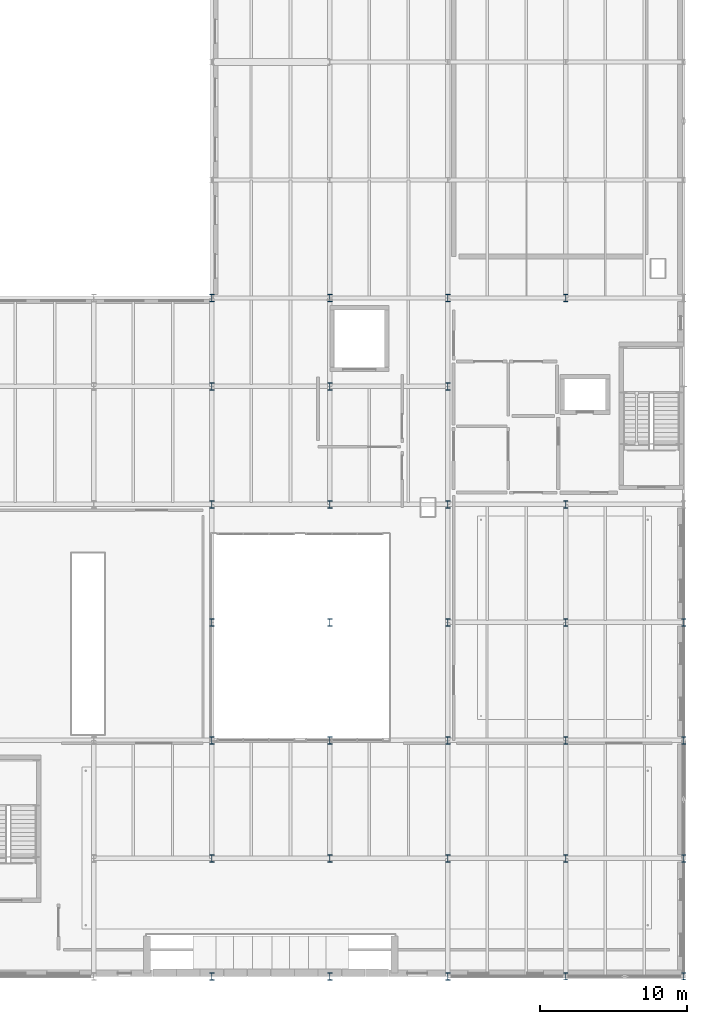
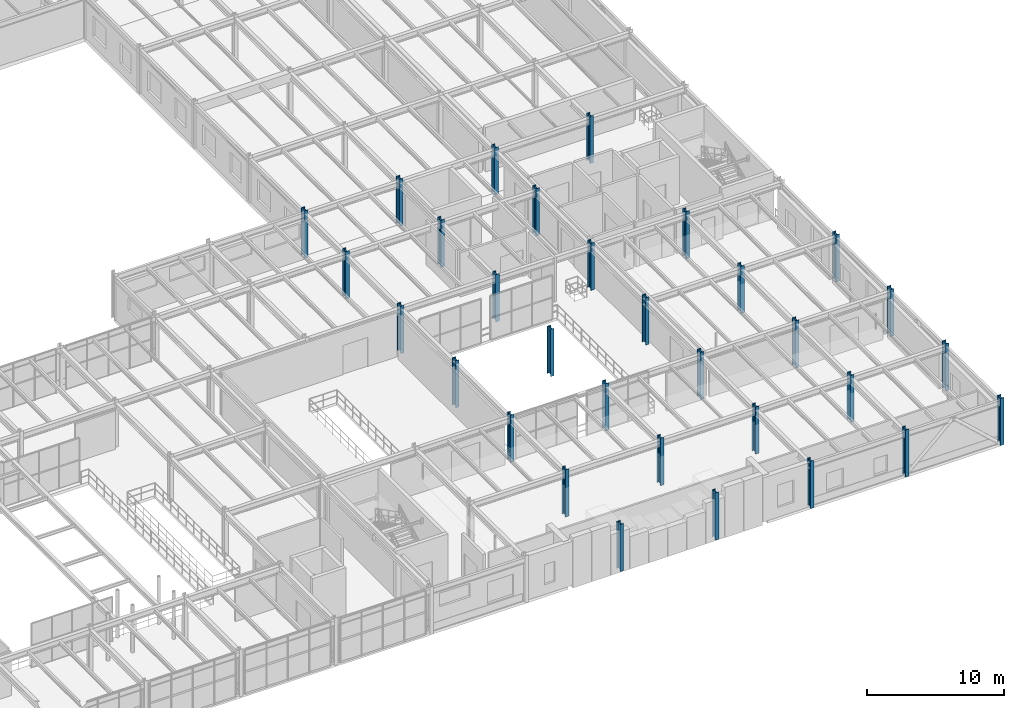
# One storey, part 15 of 122: 31 columns.
"""IFC4 building model written with IfcOpenShell, lengths in metres."""

from ifc_helpers import new_model, si_unit, direction, frame, origin, origin_2d, place, context, subcontext, project, spatial, i_section, extrude, material, material_profile, profile_set, type_object, element, save


model = new_model("IFC4")

# Units and contexts
model_context = context("Model", 3, precision=1e-05, world=origin(), true_north=direction((0.0, 1.0)))
body_context = subcontext(model_context, "Body", "Model", "MODEL_VIEW")
ifc_project = project(units=[si_unit("LENGTHUNIT", "METRE"), si_unit("AREAUNIT", "SQUARE_METRE"), si_unit("VOLUMEUNIT", "CUBIC_METRE"), si_unit("PLANEANGLEUNIT", "RADIAN"), si_unit("MASSUNIT", "GRAM", prefix="KILO")], contexts=[model_context])

# Site, building, storey
site_placement = place(None, origin())
site = spatial("IfcSite", under=ifc_project, at=site_placement, CompositionType="ELEMENT")
building_placement = place(site_placement, origin())
building = spatial("IfcBuilding", under=site, at=building_placement, Name="Sundkrona Museum", CompositionType="ELEMENT")
storey_placement = place(building_placement, frame((0.0, 0.0, 5.39990234375)))
storey = spatial("IfcBuildingStorey", under=building, at=storey_placement, Name="L01", CompositionType="ELEMENT", Elevation=5.39990234375)

# Columns
ifc_material = material(Name="Steel S355J2", Category="steel")
ifc_material_profile = material_profile(ifc_material, i_section(OverallWidth=0.300048828125, OverallDepth=0.5, WebThickness=0.014404296875, FlangeThickness=0.028076171875, FilletRadius=0.027099609375, at=origin_2d()), Name="HEB 500")
ifc_profile_set = profile_set([ifc_material_profile], Name="Steel S355J2")
column_type = type_object("IfcColumnType", Name="C-HEB500", PredefinedType="COLUMN", material=ifc_profile_set)
for number, where, z_axis, x_axis, name in (
    (1, (136.0, 0.0, 0.0), (0.0, 0.0, 1.0), (1.0, 0.0, 0.0), "L01 Column A/18"),
    (2, (136.0, 8.0, 0.0), (0.0, 0.0, 1.0), (1.0, 0.0, 0.0), "L01 Column B/18"),
    (3, (136.0, 16.0, 0.0), (0.0, 0.0, 1.0), (1.0, 0.0, 0.0), "L01 Column C/18"),
    (4, (136.0, 24.0, 0.0), (0.0, 0.0, 1.0), (1.0, 0.0, 0.0), "L01 Column D/18"),
    (5, (136.0, 32.0, 0.0), (0.0, 0.0, 1.0), (1.0, 0.0, 0.0), "L01 Column E/18"),
    (6, (136.0, 40.0, 0.0), (0.0, 0.0, 1.0), (1.0, 0.0, 0.0), "L01 Column F/18"),
    (7, (136.0, 46.0, 0.0), (0.0, 0.0, 1.0), (1.0, 0.0, 0.0), "L01 Column G/18"),
    (8, (144.0, 0.0, 0.0), (0.0, 0.0, 1.0), (1.0, 0.0, 0.0), "L01 Column A/19"),
    (9, (144.0, 8.0, 0.0), (0.0, 0.0, 1.0), (1.0, 0.0, 0.0), "L01 Column B/19"),
    (10, (144.0, 16.0, 0.0), (0.0, 0.0, 1.0), (1.0, 0.0, 0.0), "L01 Column C/19"),
    (11, (144.0, 24.0, 0.0), (0.0, 0.0, 1.0), (1.0, 0.0, 0.0), "L01 Column D/19"),
    (12, (144.0, 32.0, 0.0), (0.0, 0.0, 1.0), (1.0, 0.0, 0.0), "L01 Column E/19"),
    (13, (144.0, 40.0, 0.0), (0.0, 0.0, 1.0), (1.0, 0.0, 0.0), "L01 Column F/19"),
    (14, (144.0, 46.0, 0.0), (0.0, 0.0, 1.0), (1.0, 0.0, 0.0), "L01 Column G/19"),
    (15, (152.0, 0.0, 0.0), (0.0, 0.0, 1.0), (1.0, 0.0, 0.0), "L01 Column A/20"),
    (16, (152.0, 8.0, 0.0), (0.0, 0.0, 1.0), (1.0, 0.0, 0.0), "L01 Column B/20"),
    (17, (152.0, 16.0, 0.0), (0.0, 0.0, 1.0), (1.0, 0.0, 0.0), "L01 Column C/20"),
    (18, (152.0, 24.0, 0.0), (0.0, 0.0, 1.0), (1.0, 0.0, 0.0), "L01 Column D/20"),
    (19, (152.0, 32.0, 0.0), (0.0, 0.0, 1.0), (1.0, 0.0, 0.0), "L01 Column E/20"),
    (20, (152.0, 40.0, 0.0), (0.0, 0.0, 1.0), (1.0, 0.0, 0.0), "L01 Column F/20"),
    (21, (152.0, 46.0, 0.0), (0.0, 0.0, 1.0), (1.0, 0.0, 0.0), "L01 Column G/20"),
    (22, (160.0, 0.0, 0.0), (0.0, 0.0, 1.0), (1.0, 0.0, 0.0), "L01 Column A/21"),
    (23, (160.0, 8.0, 0.0), (0.0, 0.0, 1.0), (1.0, 0.0, 0.0), "L01 Column B/21"),
    (24, (160.0, 16.0, 0.0), (0.0, 0.0, 1.0), (1.0, 0.0, 0.0), "L01 Column C/21"),
    (25, (160.0, 24.0, 0.0), (0.0, 0.0, 1.0), (1.0, 0.0, 0.0), "L01 Column D/21"),
    (26, (160.0, 32.0, 0.0), (0.0, 0.0, 1.0), (1.0, 0.0, 0.0), "L01 Column E/21"),
    (27, (160.0, 46.0, 0.0), (0.0, 0.0, 1.0), (1.0, 0.0, 0.0), "L01 Column G/21"),
    (28, (168.0, 0.0, 0.0), (0.0, 0.0, 1.0), (1.0, 0.0, 0.0), "L01 Column A/22"),
    (29, (168.0, 8.0, 0.0), (0.0, 0.0, 1.0), (1.0, 0.0, 0.0), "L01 Column B/22"),
    (30, (168.0, 16.0, 0.0), (0.0, 0.0, 1.0), (1.0, 0.0, 0.0), "L01 Column C/22"),
    (31, (168.0, 24.0, 0.0), (0.0, 0.0, 1.0), (1.0, 0.0, 0.0), "L01 Column D/22"),
):
    element("IfcColumn", number, at=place(storey_placement, frame(where, z_axis=z_axis, x_axis=x_axis)), inside=storey, type_object=column_type, Name=name, PredefinedType="COLUMN", context=body_context, shape_type="SweptSolid", body=[
        extrude(i_section(OverallWidth=0.300048828125, OverallDepth=0.5, WebThickness=0.014404296875, FlangeThickness=0.028076171875, FilletRadius=0.027099609375, at=origin_2d()), origin(), (0.0, 0.0, 1.0), 4.2001953125),
    ])

save(model, "model.ifc")
